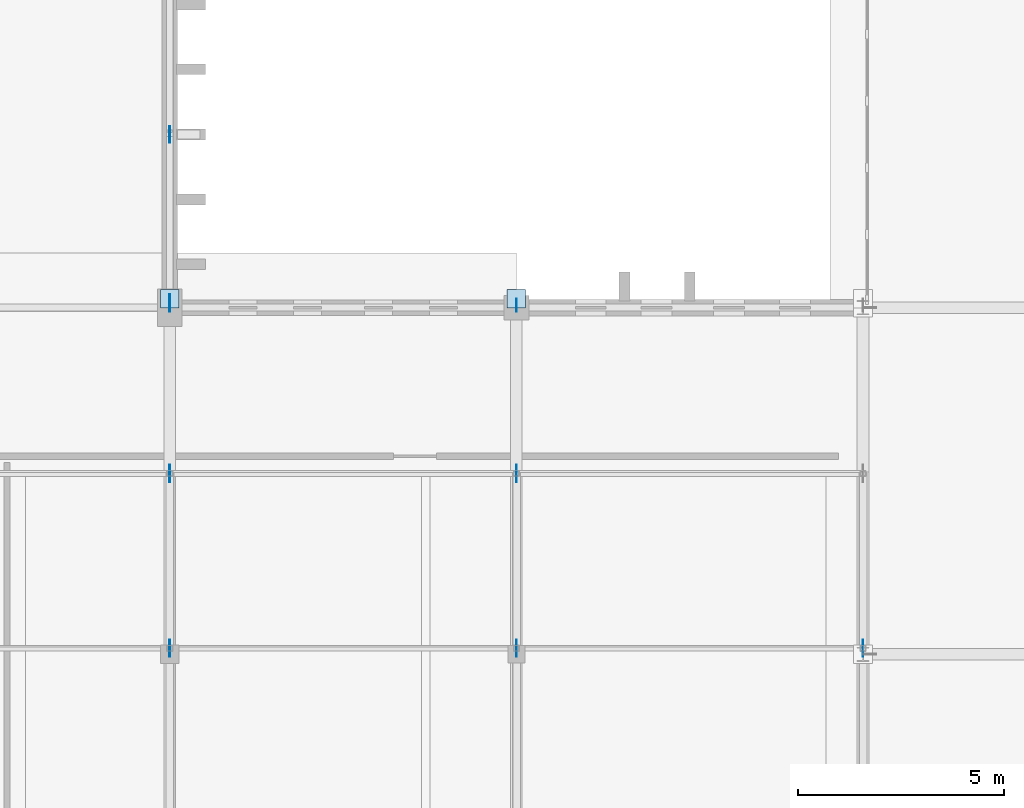
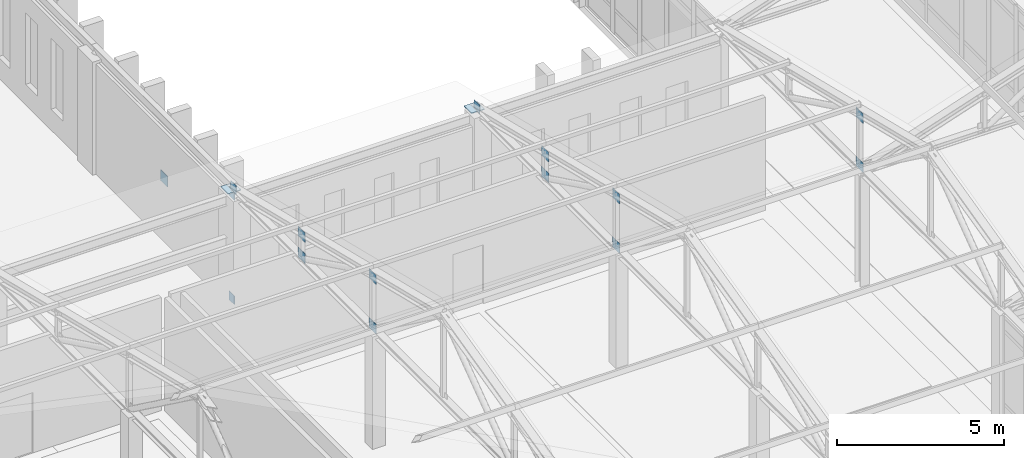
# One storey, part 138 of 192: 17 plates.
"""IFC4 building model written with IfcOpenShell, lengths in metres."""

from ifc_helpers import new_model, si_unit, direction, frame, origin, origin_2d, place, context, subcontext, project, spatial, rectangle, extrude, material, layer, layer_set, type_object, element, save


model = new_model("IFC4")

# Units and contexts
model_context = context("Model", 3, precision=1e-05, world=origin(), true_north=direction((0.0, 1.0)))
body_context = subcontext(model_context, "Body", "Model", "MODEL_VIEW")
ifc_project = project(units=[si_unit("LENGTHUNIT", "METRE"), si_unit("AREAUNIT", "SQUARE_METRE"), si_unit("VOLUMEUNIT", "CUBIC_METRE"), si_unit("PLANEANGLEUNIT", "RADIAN"), si_unit("MASSUNIT", "GRAM", prefix="KILO")], contexts=[model_context])

# Site, building, storey
site_placement = place(None, origin())
site = spatial("IfcSite", under=ifc_project, at=site_placement, CompositionType="ELEMENT")
building_placement = place(site_placement, origin())
building = spatial("IfcBuilding", under=site, at=building_placement, Name="Kveldsbrygga Polytechnic", CompositionType="ELEMENT")
storey_placement = place(building_placement, frame((0.0, 0.0, 5.43994140625)))
storey = spatial("IfcBuildingStorey", under=building, at=storey_placement, Name="L01", CompositionType="ELEMENT", Elevation=5.43994140625)

# Plates
ifc_material = material(Name="Steel S355", Category="steel")
ifc_layer_1 = layer(ifc_material, 0.030029296875)
ifc_layer_set_1 = layer_set([ifc_layer_1], Name="Steel S355")
plate_type_1 = type_object("IfcPlateType", Name="CAP-BEAR-450", PredefinedType="SHEET", material=ifc_layer_set_1)
for number, where, z_axis, x_axis, name in (
    (1, (33.60009765625, 25.419921875, 4.08984375), (0.0, 0.0, 1.0), (1.0, 0.0, 0.0), "Truss Bearing Plate V5S-T05-B"),
    (2, (42.0, 25.419921875, 4.08984375), (0.0, 0.0, 1.0), (1.0, 0.0, 0.0), "Truss Bearing Plate V5S-T06-B"),
):
    element("IfcPlate", number, at=place(storey_placement, frame(where, z_axis=z_axis, x_axis=x_axis)), inside=storey, type_object=plate_type_1, Name=name, PredefinedType="SHEET", context=body_context, shape_type="SweptSolid", body=[
        extrude(rectangle(XDim=0.449951171875, YDim=0.449951171875, at=origin_2d()), origin(), (0.0, 0.0, 1.0), 0.030029296875),
    ])
ifc_layer_2 = layer(ifc_material, 0.01806640625)
ifc_layer_set_2 = layer_set([ifc_layer_2], Name="Steel S355")
plate_type_2 = type_object("IfcPlateType", Name="GUS-BRACE-320", PredefinedType="SHEET", material=ifc_layer_set_2)
for number, where, z_axis, x_axis, name in (
    (3, (33.60009765625, 25.260009765625, 4.080078125), (0.0, 0.0, 1.0), (1.0, 0.0, 0.0), "Truss Eaves Node Gusset V5S-T05-EGP-B"),
    (4, (42.0, 25.260009765625, 4.080078125), (0.0, 0.0, 1.0), (1.0, 0.0, 0.0), "Truss Eaves Node Gusset V5S-T06-EGP-B"),
    (5, (33.60009765625, 25.360107421875, 0.0), (0.0, 0.0, 1.0), (1.0, 0.0, 0.0), "Portal Brace End Gusset XGP-VBR-L01-E-3-1"),
    (6, (33.60009765625, 25.360107421875, 3.7998046875), (0.0, 0.0, 1.0), (1.0, 0.0, 0.0), "Portal Brace End Gusset XGP-VBR-L01-E-3-4"),
):
    element("IfcPlate", number, at=place(storey_placement, frame(where, z_axis=z_axis, x_axis=x_axis)), inside=storey, type_object=plate_type_2, Name=name, PredefinedType="SHEET", context=body_context, shape_type="SweptSolid", body=[
        extrude(rectangle(XDim=0.01806640625, YDim=0.320068359375, at=origin_2d()), origin(), (0.0, 0.0, 1.0), 0.320068359375),
    ])
ifc_layer_3 = layer(ifc_material, 0.02001953125)
ifc_layer_set_3 = layer_set([ifc_layer_3], Name="Steel S355")
plate_type_3 = type_object("IfcPlateType", Name="GUS-LECT-420", PredefinedType="SHEET", material=ifc_layer_set_3)
for number, where, z_axis, x_axis, name in (
    (7, (33.60009765625, 16.94677734375, 5.861572265625), (0.0, 0.0, 1.0), (1.0, 0.0, 0.0), "Truss Gusset Plate V5S-T05-GP-4"),
    (8, (33.60009765625, 16.94677734375, 4.06494140625), (0.0, 0.0, 1.0), (1.0, 0.0, 0.0), "Truss Bottom-Chord Node Gusset V5S-T05-BGP-4"),
    (9, (33.60009765625, 21.183349609375, 4.828369140625), (0.0, 0.0, 1.0), (1.0, 0.0, 0.0), "Truss Gusset Plate V5S-T05-GP-5"),
    (10, (33.60009765625, 21.183349609375, 4.06494140625), (0.0, 0.0, 1.0), (1.0, 0.0, 0.0), "Truss Bottom-Chord Node Gusset V5S-T05-BGP-5"),
    (11, (42.0, 16.94677734375, 5.861572265625), (0.0, 0.0, 1.0), (1.0, 0.0, 0.0), "Truss Gusset Plate V5S-T06-GP-4"),
    (12, (42.0, 16.94677734375, 4.06494140625), (0.0, 0.0, 1.0), (1.0, 0.0, 0.0), "Truss Bottom-Chord Node Gusset V5S-T06-BGP-4"),
    (13, (42.0, 21.183349609375, 4.828369140625), (0.0, 0.0, 1.0), (1.0, 0.0, 0.0), "Truss Gusset Plate V5S-T06-GP-5"),
    (14, (42.0, 21.183349609375, 4.06494140625), (0.0, 0.0, 1.0), (1.0, 0.0, 0.0), "Truss Bottom-Chord Node Gusset V5S-T06-BGP-5"),
    (15, (50.39990234375, 16.94677734375, 5.861572265625), (0.0, 0.0, 1.0), (1.0, 0.0, 0.0), "Truss Gusset Plate V5S-T07-GP-4"),
    (16, (50.39990234375, 16.94677734375, 4.06494140625), (0.0, 0.0, 1.0), (1.0, 0.0, 0.0), "Truss Bottom-Chord Node Gusset V5S-T07-BGP-4"),
):
    element("IfcPlate", number, at=place(storey_placement, frame(where, z_axis=z_axis, x_axis=x_axis)), inside=storey, type_object=plate_type_3, Name=name, PredefinedType="SHEET", context=body_context, shape_type="SweptSolid", body=[
        extrude(rectangle(XDim=0.02001953125, YDim=0.419921875, at=origin_2d()), origin(), (0.0, 0.0, 1.0), 0.35009765625),
    ])
ifc_layer_4 = layer(ifc_material, 0.02001953125)
ifc_layer_set_4 = layer_set([ifc_layer_4], Name="Steel S355")
plate_type_4 = type_object("IfcPlateType", Name="GUS-XBRACE-400", PredefinedType="SHEET", material=ifc_layer_set_4)
plate_placement = place(storey_placement, frame((33.60009765625, 29.39990234375, 1.860107421875), z_axis=(0.0, 0.0, 1.0), x_axis=(1.0, 0.0, 0.0)))
element("IfcPlate", 17, at=plate_placement, inside=storey, type_object=plate_type_4, Name="Portal X-Brace Crossing Gusset XGP-VBR-L01-E-3-C", PredefinedType="SHEET", context=body_context, shape_type="SweptSolid", body=[
    extrude(rectangle(XDim=0.02001953125, YDim=0.39990234375, at=origin_2d()), origin(), (0.0, 0.0, 1.0), 0.39990234375),
])

save(model, "model.ifc")
